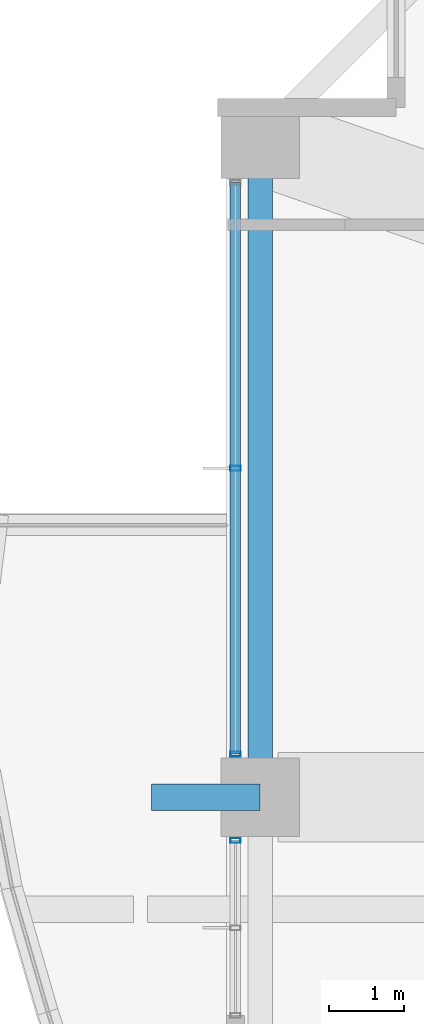
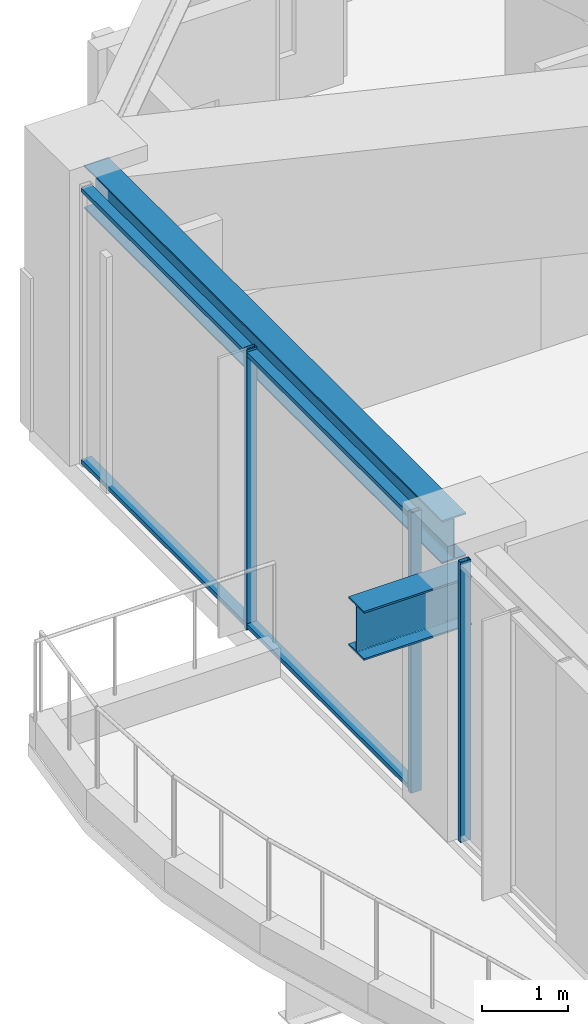
# One storey, part 11 of 40: 5 members, 2 beams, 2 elements without a shape of their own.
"""IFC4 building model written with IfcOpenShell, lengths in metres."""

from ifc_helpers import new_model, si_unit, direction, frame, origin, origin_2d, place, context, subcontext, project, spatial, hollow_rectangle, i_section, extrude, material, material_profile, profile_set, type_object, element, aggregate, save


model = new_model("IFC4")

# Units and contexts
model_context = context("Model", 3, precision=1e-05, world=origin(), true_north=direction((0.0, 1.0)))
body_context = subcontext(model_context, "Body", "Model", "MODEL_VIEW")
ifc_project = project(units=[si_unit("LENGTHUNIT", "METRE"), si_unit("AREAUNIT", "SQUARE_METRE"), si_unit("VOLUMEUNIT", "CUBIC_METRE"), si_unit("PLANEANGLEUNIT", "RADIAN"), si_unit("MASSUNIT", "GRAM", prefix="KILO")], contexts=[model_context])

# Site, building, storey
site_placement = place(None, origin())
site = spatial("IfcSite", under=ifc_project, at=site_placement, CompositionType="ELEMENT")
building_placement = place(site_placement, origin())
building = spatial("IfcBuilding", under=site, at=building_placement, Name="Kolvaren Belvedere", CompositionType="ELEMENT")
storey_placement = place(building_placement, frame((0.0, 0.0, 68.0)))
storey = spatial("IfcBuildingStorey", under=building, at=storey_placement, Name="L19", CompositionType="ELEMENT", Elevation=68.0)

# Beams
ifc_material_1 = material(Name="Structural steel ASTM A992 Grade 50", Category="steel")
ifc_material_profile_1 = material_profile(ifc_material_1, i_section(OverallWidth=0.35498046875, OverallDepth=0.696044921875, WebThickness=0.015380859375, FlangeThickness=0.02490234375, FilletRadius=0.02197265625, at=origin_2d()), Name="W27X146")
ifc_profile_set_1 = profile_set([ifc_material_profile_1], Name="Structural steel ASTM A992 Grade 50")
beam_type_1 = type_object("IfcBeamType", Name="BM-CANT-BAL", PredefinedType="BEAM", material=ifc_profile_set_1)
beam_1_placement = place(storey_placement, frame((-19.949951171875, 4.60009765625, 3.0419921875), z_axis=(-1.0, 0.0, 0.0), x_axis=(0.0, -1.0, 0.0)))
element("IfcBeam", 1, at=beam_1_placement, inside=storey, type_object=beam_type_1, Name="L19 West Picture-Frame Column Corbel P", PredefinedType="BEAM", context=body_context, shape_type="SweptSolid", body=[
    extrude(i_section(OverallWidth=0.35498046875, OverallDepth=0.696044921875, WebThickness=0.015380859375, FlangeThickness=0.02490234375, FilletRadius=0.02197265625, at=origin_2d()), origin(), (0.0, 0.0, 1.0), 1.449951171875),
])
ifc_material_2 = material(Name="Structural steel ASTM A992 Grade 50", Category="steel")
ifc_material_profile_2 = material_profile(ifc_material_2, i_section(OverallWidth=0.324951171875, OverallDepth=0.615966796875, WebThickness=0.013916015625, FlangeThickness=0.021484375, FilletRadius=0.02001953125, at=origin_2d()), Name="W24X117")
ifc_profile_set_2 = profile_set([ifc_material_profile_2], Name="Structural steel ASTM A992 Grade 50")
beam_type_2 = type_object("IfcBeamType", Name="BM-SPAN-W24X117", PredefinedType="SPANDREL", material=ifc_profile_set_2)
beam_2_placement = place(storey_placement, frame((-19.949951171875, 13.163818359375, 3.672119140625), z_axis=(0.0, -1.0, 0.0), x_axis=(1.0, 0.0, 0.0)))
element("IfcBeam", 2, at=beam_2_placement, inside=storey, type_object=beam_type_2, Name="L19 Perimeter Spandrel W4-W3", PredefinedType="SPANDREL", context=body_context, shape_type="SweptSolid", body=[
    extrude(i_section(OverallWidth=0.324951171875, OverallDepth=0.615966796875, WebThickness=0.013916015625, FlangeThickness=0.021484375, FilletRadius=0.02001953125, at=origin_2d()), origin(), (0.0, 0.0, 1.0), 8.32763671875),
])

# Curtain wall, member
ifc_material_3 = material(Name="Anodised pale-metal aluminium AA 6063-T6", Category="aluminium")
curtain_wall_type = type_object("IfcCurtainWallType", Name="CW-Z2-MID", PredefinedType="NOTDEFINED", material=ifc_material_3)
curtain_wall_1_placement = place(storey_placement, origin())
curtain_wall_1 = element("IfcCurtainWall", 3, at=curtain_wall_1_placement, inside=storey, type_object=curtain_wall_type, Name="L19 Unitised Curtain Wall FCW-L19-W2-B1", PredefinedType="NOTDEFINED")
ifc_material_4 = material(Name="Anodised pale-metal aluminium AA 6063-T6", Category="aluminium")
ifc_material_profile_3 = material_profile(ifc_material_4, hollow_rectangle(XDim=0.06494140625, YDim=0.139892578125, WallThickness=0.00390625, at=origin_2d()), Name="ALU-MUL-140X65")
ifc_profile_set_3 = profile_set([ifc_material_profile_3], Name="Anodised pale-metal aluminium AA 6063-T6")
member_type_1 = type_object("IfcMemberType", Name="CW-MUL-140", PredefinedType="MULLION", material=ifc_profile_set_3)
member_1_placement = place(storey_placement, frame((-20.280029296875, 4.0224609375, 0.0), z_axis=(0.0, 0.0, 1.0), x_axis=(0.0, 1.0, 0.0)))
member_1 = element("IfcMember", 4, at=member_1_placement, type_object=member_type_1, Name="FCW-L19-W2-B1 Unitised Mullion 3", PredefinedType="MULLION", context=body_context, shape_type="SweptSolid", body=[
    extrude(hollow_rectangle(XDim=0.06494140625, YDim=0.139892578125, WallThickness=0.00390625, at=origin_2d()), origin(), (0.0, 0.0, 1.0), 3.97998046875),
])
aggregate(curtain_wall_1, [member_1])

# Curtain wall, members
curtain_wall_2_placement = place(storey_placement, origin())
curtain_wall_2 = element("IfcCurtainWall", 5, at=curtain_wall_2_placement, inside=storey, type_object=curtain_wall_type, Name="L19 Unitised Curtain Wall FCW-L19-W2-B2", PredefinedType="NOTDEFINED")
member_2_placement = place(storey_placement, frame((-20.280029296875, 5.177490234375, 0.0), z_axis=(0.0, 0.0, 1.0), x_axis=(0.0, 1.0, 0.0)))
member_2 = element("IfcMember", 6, at=member_2_placement, type_object=member_type_1, Name="FCW-L19-W2-B2 Unitised Mullion 1", PredefinedType="MULLION", context=body_context, shape_type="SweptSolid", body=[
    extrude(hollow_rectangle(XDim=0.06494140625, YDim=0.139892578125, WallThickness=0.00390625, at=origin_2d()), origin(), (0.0, 0.0, 1.0), 3.97998046875),
])
member_3_placement = place(storey_placement, frame((-20.280029296875, 9.0, 0.0), z_axis=(0.0, 0.0, 1.0), x_axis=(0.0, 1.0, 0.0)))
member_3 = element("IfcMember", 7, at=member_3_placement, type_object=member_type_1, Name="FCW-L19-W2-B2 Unitised Mullion 2", PredefinedType="MULLION", context=body_context, shape_type="SweptSolid", body=[
    extrude(hollow_rectangle(XDim=0.06494140625, YDim=0.139892578125, WallThickness=0.00390625, at=origin_2d()), origin(), (0.0, 0.0, 1.0), 3.97998046875),
])
ifc_material_5 = material(Name="Anodised pale-metal aluminium AA 6063-T6", Category="aluminium")
ifc_material_profile_4 = material_profile(ifc_material_5, hollow_rectangle(XDim=0.06005859375, YDim=0.139892578125, WallThickness=0.00390625, at=origin_2d()), Name="ALU-TRN-140X60")
ifc_profile_set_4 = profile_set([ifc_material_profile_4], Name="Anodised pale-metal aluminium AA 6063-T6")
member_type_2 = type_object("IfcMemberType", Name="CW-TRN-140", PredefinedType="USERDEFINED", material=ifc_profile_set_4)
member_4_placement = place(storey_placement, frame((-20.280029296875, 5.177490234375, 0.06005859375), z_axis=(0.0, 1.0, 0.0), x_axis=(0.0, 0.0, 1.0)))
member_4 = element("IfcMember", 8, at=member_4_placement, type_object=member_type_2, Name="FCW-L19-W2-B2 Sill Transom", ObjectType="TRANSOM", PredefinedType="USERDEFINED", context=body_context, shape_type="SweptSolid", body=[
    extrude(hollow_rectangle(XDim=0.06005859375, YDim=0.139892578125, WallThickness=0.00390625, at=origin_2d()), origin(), (0.0, 0.0, 1.0), 7.64501953125),
])
member_5_placement = place(storey_placement, frame((-20.280029296875, 5.177490234375, 3.919921875), z_axis=(0.0, 1.0, 0.0), x_axis=(0.0, 0.0, 1.0)))
member_5 = element("IfcMember", 9, at=member_5_placement, type_object=member_type_2, Name="FCW-L19-W2-B2 Head Transom", ObjectType="TRANSOM", PredefinedType="USERDEFINED", context=body_context, shape_type="SweptSolid", body=[
    extrude(hollow_rectangle(XDim=0.06005859375, YDim=0.139892578125, WallThickness=0.00390625, at=origin_2d()), origin(), (0.0, 0.0, 1.0), 7.64501953125),
])
aggregate(curtain_wall_2, [member_2, member_3, member_4, member_5])

save(model, "model.ifc")
